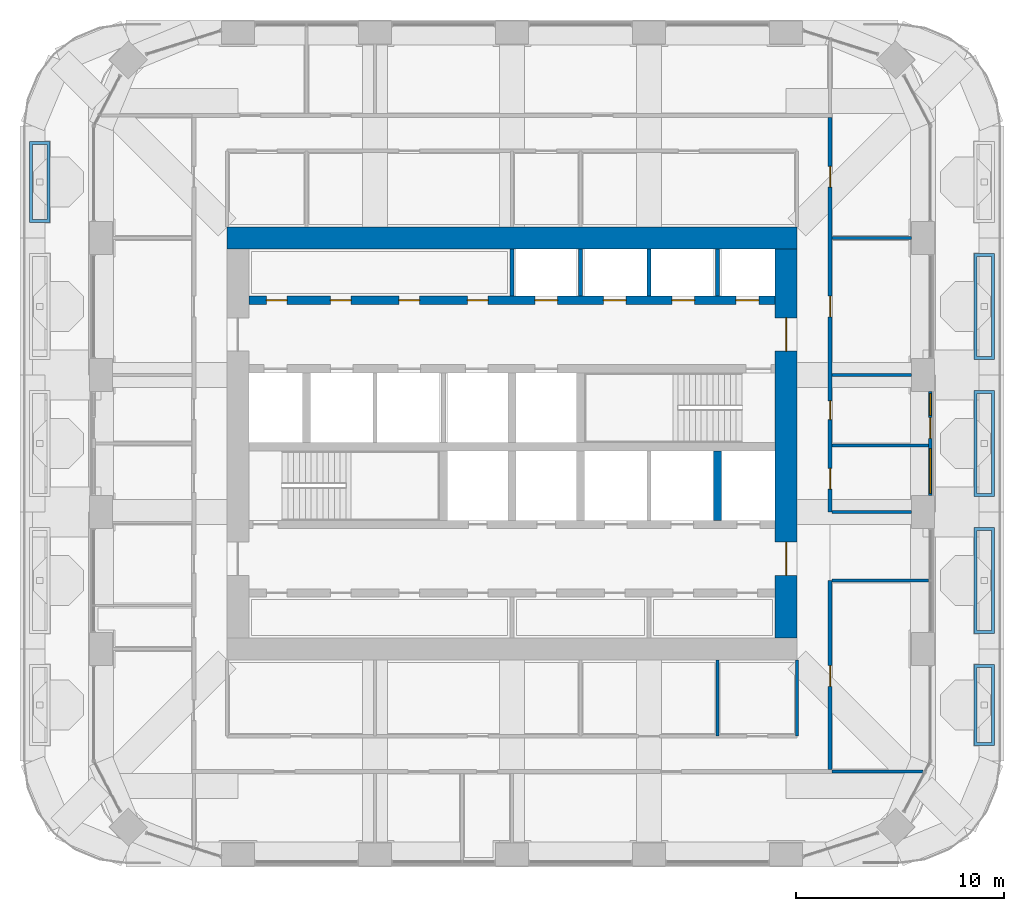
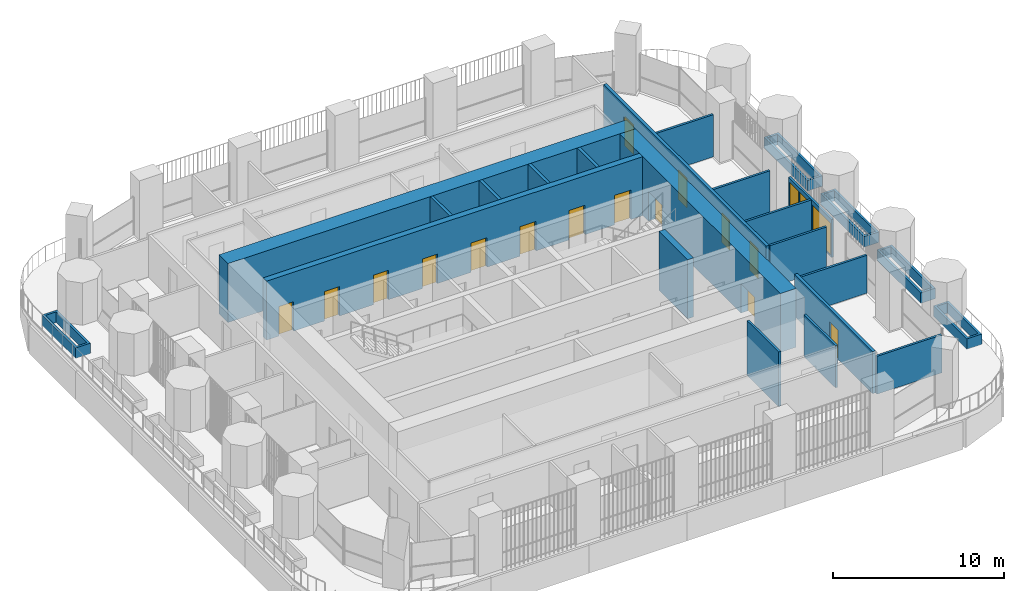
# One storey, part 16 of 24: 24 walls, 16 doors, 2 windows, 18 openings.
"""IFC4 building model written with IfcOpenShell, lengths in metres."""

from ifc_helpers import new_model, si_unit, direction, frame, frame_2d, origin, place, context, subcontext, project, spatial, polyline, rectangle, outline, extrude, material, layer, layer_set, type_object, element, fill, save


model = new_model("IFC4")

# Units and contexts
model_context = context("Model", 3, precision=1e-05, world=origin(), true_north=direction((0.0, 1.0)))
body_context = subcontext(model_context, "Body", "Model", "MODEL_VIEW")
ifc_project = project(units=[si_unit("LENGTHUNIT", "METRE"), si_unit("AREAUNIT", "SQUARE_METRE"), si_unit("VOLUMEUNIT", "CUBIC_METRE"), si_unit("PLANEANGLEUNIT", "RADIAN"), si_unit("MASSUNIT", "GRAM", prefix="KILO")], contexts=[model_context])

# Site, building, storey
site_placement = place(None, origin())
site = spatial("IfcSite", under=ifc_project, at=site_placement, CompositionType="ELEMENT")
building_placement = place(site_placement, origin())
building = spatial("IfcBuilding", under=site, at=building_placement, Name="Cobogo Forest Laboratory Tower", CompositionType="ELEMENT")
storey_placement = place(building_placement, frame((0.0, 0.0, 229.199951171875)))
storey = spatial("IfcBuildingStorey", under=building, at=storey_placement, Name="L52", CompositionType="ELEMENT", Elevation=229.199951171875)

# Wall, openings, doors
ifc_material_1 = material(Name="Concrete HA-50 (C50/60)", Category="concrete")
ifc_layer_1 = layer(ifc_material_1, 0.39990234375)
ifc_layer_set_1 = layer_set([ifc_layer_1], Name="CI400 core inner wall 400")
wall_type_1 = type_object("IfcWallType", Name="CI400 core inner wall 400", PredefinedType="SHEAR", material=ifc_layer_set_1)
wall_1_placement = place(storey_placement, frame((13.72509765625, 30.0, 0.0), z_axis=(0.0, 0.0, 1.0), x_axis=(1.0, 0.0, 0.0)))
wall_1 = element("IfcWall", 1, at=wall_1_placement, inside=storey, type_object=wall_type_1, Name="Core wall CI-30.0 L52", PredefinedType="SHEAR", context=body_context, shape_type="SweptSolid", body=[
    extrude(rectangle(XDim=25.349853515625, YDim=0.39990234375, at=frame_2d((12.6748046875, 0.0))), origin(), (0.0, 0.0, 1.0), 4.199951171875),
])
opening_1_placement = place(wall_1_placement, frame((0.83740234375, 0.0, 0.0)))
opening_1 = element("IfcOpeningElement", 2, at=opening_1_placement, cuts=wall_1, Name="Opening L52-D37", PredefinedType="OPENING", context=body_context, shape_type="SweptSolid", body=[
    extrude(rectangle(XDim=1.0, YDim=2.10009765625, at=frame_2d((0.5, 1.050048828125))), frame((0.0, 0.2099609375, 0.0), z_axis=(0.0, -1.0, 0.0), x_axis=(1.0, 0.0, 0.0)), (0.0, 0.0, 1.0), 0.419921875),
])
opening_2_placement = place(wall_1_placement, frame((3.925048828125, 0.0, 0.0)))
opening_2 = element("IfcOpeningElement", 3, at=opening_2_placement, cuts=wall_1, Name="Opening L52-D38", PredefinedType="OPENING", context=body_context, shape_type="SweptSolid", body=[
    extrude(rectangle(XDim=1.0, YDim=2.10009765625, at=frame_2d((0.5, 1.050048828125))), frame((0.0, 0.2099609375, 0.0), z_axis=(0.0, -1.0, 0.0), x_axis=(1.0, 0.0, 0.0)), (0.0, 0.0, 1.0), 0.419921875),
])
opening_3_placement = place(wall_1_placement, frame((7.22509765625, 0.0, 0.0)))
opening_3 = element("IfcOpeningElement", 4, at=opening_3_placement, cuts=wall_1, Name="Opening L52-D39", PredefinedType="OPENING", context=body_context, shape_type="SweptSolid", body=[
    extrude(rectangle(XDim=1.0, YDim=2.10009765625, at=frame_2d((0.5, 1.050048828125))), frame((0.0, 0.2099609375, 0.0), z_axis=(0.0, -1.0, 0.0), x_axis=(1.0, 0.0, 0.0)), (0.0, 0.0, 1.0), 0.419921875),
])
opening_4_placement = place(wall_1_placement, frame((10.52490234375, 0.0, 0.0)))
opening_4 = element("IfcOpeningElement", 5, at=opening_4_placement, cuts=wall_1, Name="Opening L52-D40", PredefinedType="OPENING", context=body_context, shape_type="SweptSolid", body=[
    extrude(rectangle(XDim=1.0, YDim=2.10009765625, at=frame_2d((0.5, 1.050048828125))), frame((0.0, 0.2099609375, 0.0), z_axis=(0.0, -1.0, 0.0), x_axis=(1.0, 0.0, 0.0)), (0.0, 0.0, 1.0), 0.419921875),
])
opening_5_placement = place(wall_1_placement, frame((13.77490234375, 0.0, 0.0)))
opening_5 = element("IfcOpeningElement", 6, at=opening_5_placement, cuts=wall_1, Name="Opening L52-LD-LD1", PredefinedType="OPENING", context=body_context, shape_type="SweptSolid", body=[
    extrude(rectangle(XDim=1.10009765625, YDim=2.10009765625, at=frame_2d((0.550048828125, 1.050048828125))), frame((0.0, 0.2099609375, 0.0), z_axis=(0.0, -1.0, 0.0), x_axis=(1.0, 0.0, 0.0)), (0.0, 0.0, 1.0), 0.419921875),
])
opening_6_placement = place(wall_1_placement, frame((17.074951171875, 0.0, 0.0)))
opening_6 = element("IfcOpeningElement", 7, at=opening_6_placement, cuts=wall_1, Name="Opening L52-LD-LD2", PredefinedType="OPENING", context=body_context, shape_type="SweptSolid", body=[
    extrude(rectangle(XDim=1.10009765625, YDim=2.10009765625, at=frame_2d((0.550048828125, 1.050048828125))), frame((0.0, 0.2099609375, 0.0), z_axis=(0.0, -1.0, 0.0), x_axis=(1.0, 0.0, 0.0)), (0.0, 0.0, 1.0), 0.419921875),
])
opening_7_placement = place(wall_1_placement, frame((20.375, 0.0, 0.0)))
opening_7 = element("IfcOpeningElement", 8, at=opening_7_placement, cuts=wall_1, Name="Opening L52-LD-LD3", PredefinedType="OPENING", context=body_context, shape_type="SweptSolid", body=[
    extrude(rectangle(XDim=1.10009765625, YDim=2.10009765625, at=frame_2d((0.550048828125, 1.050048828125))), frame((0.0, 0.2099609375, 0.0), z_axis=(0.0, -1.0, 0.0), x_axis=(1.0, 0.0, 0.0)), (0.0, 0.0, 1.0), 0.419921875),
])
opening_8_placement = place(wall_1_placement, frame((23.46240234375, 0.0, 0.0)))
opening_8 = element("IfcOpeningElement", 9, at=opening_8_placement, cuts=wall_1, Name="Opening L52-LD-LD4", PredefinedType="OPENING", context=body_context, shape_type="SweptSolid", body=[
    extrude(rectangle(XDim=1.10009765625, YDim=2.10009765625, at=frame_2d((0.550048828125, 1.050048828125))), frame((0.0, 0.2099609375, 0.0), z_axis=(0.0, -1.0, 0.0), x_axis=(1.0, 0.0, 0.0)), (0.0, 0.0, 1.0), 0.419921875),
])
ifc_material_2 = material(Name="Steel fire door", Category="steel")
door_type_1 = type_object("IfcDoorType", Name="FD1 fire door 1000 EI2 60", OperationType="SINGLE_SWING_LEFT", PredefinedType="DOOR", material=ifc_material_2)
door_1_placement = place(opening_1_placement, origin())
door_1 = element("IfcDoor", 10, at=door_1_placement, inside=storey, type_object=door_type_1, Name="Door L52-SH-LC1", OperationType="SINGLE_SWING_LEFT", OverallHeight=2.10009765625, OverallWidth=1.0, PredefinedType="DOOR", context=body_context, shape_type="SweptSolid", body=[
    extrude(rectangle(XDim=1.0, YDim=2.10009765625, at=frame_2d((0.5, 1.050048828125))), frame((0.0, 0.02490234375, 0.0), z_axis=(0.0, -1.0, 0.0), x_axis=(1.0, 0.0, 0.0)), (0.0, 0.0, 1.0), 0.050048828125),
])
fill(opening_1, door_1)
door_2_placement = place(opening_2_placement, origin())
door_2 = element("IfcDoor", 11, at=door_2_placement, inside=storey, type_object=door_type_1, Name="Door L52-SH-LC2", OperationType="SINGLE_SWING_LEFT", OverallHeight=2.10009765625, OverallWidth=1.0, PredefinedType="DOOR", context=body_context, shape_type="SweptSolid", body=[
    extrude(rectangle(XDim=1.0, YDim=2.10009765625, at=frame_2d((0.5, 1.050048828125))), frame((0.0, 0.02490234375, 0.0), z_axis=(0.0, -1.0, 0.0), x_axis=(1.0, 0.0, 0.0)), (0.0, 0.0, 1.0), 0.050048828125),
])
fill(opening_2, door_2)
door_3_placement = place(opening_3_placement, origin())
door_3 = element("IfcDoor", 12, at=door_3_placement, inside=storey, type_object=door_type_1, Name="Door L52-SH-LC3", OperationType="SINGLE_SWING_LEFT", OverallHeight=2.10009765625, OverallWidth=1.0, PredefinedType="DOOR", context=body_context, shape_type="SweptSolid", body=[
    extrude(rectangle(XDim=1.0, YDim=2.10009765625, at=frame_2d((0.5, 1.050048828125))), frame((0.0, 0.02490234375, 0.0), z_axis=(0.0, -1.0, 0.0), x_axis=(1.0, 0.0, 0.0)), (0.0, 0.0, 1.0), 0.050048828125),
])
fill(opening_3, door_3)
door_4_placement = place(opening_4_placement, origin())
door_4 = element("IfcDoor", 13, at=door_4_placement, inside=storey, type_object=door_type_1, Name="Door L52-SH-LC4", OperationType="SINGLE_SWING_LEFT", OverallHeight=2.10009765625, OverallWidth=1.0, PredefinedType="DOOR", context=body_context, shape_type="SweptSolid", body=[
    extrude(rectangle(XDim=1.0, YDim=2.10009765625, at=frame_2d((0.5, 1.050048828125))), frame((0.0, 0.02490234375, 0.0), z_axis=(0.0, -1.0, 0.0), x_axis=(1.0, 0.0, 0.0)), (0.0, 0.0, 1.0), 0.050048828125),
])
fill(opening_4, door_4)
ifc_material_3 = material(Name="Stainless steel lift door", Category="steel")
door_type_2 = type_object("IfcDoorType", Name="LD lift landing door 1100", OperationType="DOUBLE_DOOR_SLIDING", PredefinedType="DOOR", material=ifc_material_3)
door_5_placement = place(opening_5_placement, origin())
door_5 = element("IfcDoor", 14, at=door_5_placement, inside=storey, type_object=door_type_2, Name="Lift landing door LD1 L52", OperationType="DOUBLE_DOOR_SLIDING", OverallHeight=2.10009765625, OverallWidth=1.10009765625, PredefinedType="DOOR", context=body_context, shape_type="SweptSolid", body=[
    extrude(rectangle(XDim=1.10009765625, YDim=2.10009765625, at=frame_2d((0.550048828125, 1.050048828125))), frame((0.0, 0.02490234375, 0.0), z_axis=(0.0, -1.0, 0.0), x_axis=(1.0, 0.0, 0.0)), (0.0, 0.0, 1.0), 0.050048828125),
])
fill(opening_5, door_5)
door_6_placement = place(opening_6_placement, origin())
door_6 = element("IfcDoor", 15, at=door_6_placement, inside=storey, type_object=door_type_2, Name="Lift landing door LD2 L52", OperationType="DOUBLE_DOOR_SLIDING", OverallHeight=2.10009765625, OverallWidth=1.10009765625, PredefinedType="DOOR", context=body_context, shape_type="SweptSolid", body=[
    extrude(rectangle(XDim=1.10009765625, YDim=2.10009765625, at=frame_2d((0.550048828125, 1.050048828125))), frame((0.0, 0.02490234375, 0.0), z_axis=(0.0, -1.0, 0.0), x_axis=(1.0, 0.0, 0.0)), (0.0, 0.0, 1.0), 0.050048828125),
])
fill(opening_6, door_6)
door_7_placement = place(opening_7_placement, origin())
door_7 = element("IfcDoor", 16, at=door_7_placement, inside=storey, type_object=door_type_2, Name="Lift landing door LD3 L52", OperationType="DOUBLE_DOOR_SLIDING", OverallHeight=2.10009765625, OverallWidth=1.10009765625, PredefinedType="DOOR", context=body_context, shape_type="SweptSolid", body=[
    extrude(rectangle(XDim=1.10009765625, YDim=2.10009765625, at=frame_2d((0.550048828125, 1.050048828125))), frame((0.0, 0.02490234375, 0.0), z_axis=(0.0, -1.0, 0.0), x_axis=(1.0, 0.0, 0.0)), (0.0, 0.0, 1.0), 0.050048828125),
])
fill(opening_7, door_7)
door_8_placement = place(opening_8_placement, origin())
door_8 = element("IfcDoor", 17, at=door_8_placement, inside=storey, type_object=door_type_2, Name="Lift landing door LD4 L52", OperationType="DOUBLE_DOOR_SLIDING", OverallHeight=2.10009765625, OverallWidth=1.10009765625, PredefinedType="DOOR", context=body_context, shape_type="SweptSolid", body=[
    extrude(rectangle(XDim=1.10009765625, YDim=2.10009765625, at=frame_2d((0.550048828125, 1.050048828125))), frame((0.0, 0.02490234375, 0.0), z_axis=(0.0, -1.0, 0.0), x_axis=(1.0, 0.0, 0.0)), (0.0, 0.0, 1.0), 0.050048828125),
])
fill(opening_8, door_8)

# Wall
wall_2_placement = place(storey_placement, frame((36.300048828125, 19.39990234375, 0.0), z_axis=(0.0, 0.0, 1.0), x_axis=(0.0, 1.0, 0.0)))
element("IfcWall", 18, at=wall_2_placement, inside=storey, type_object=wall_type_1, Name="Core wall CX-36.3 L52", PredefinedType="SHEAR", context=body_context, shape_type="SweptSolid", body=[
    extrude(rectangle(XDim=3.35009765625, YDim=0.39990234375, at=frame_2d((1.675048828125, 0.0))), origin(), (0.0, 0.0, 1.0), 4.199951171875),
])

# Wall, openings, doors
ifc_layer_2 = layer(ifc_material_1, 1.050048828125)
ifc_layer_set_2 = layer_set([ifc_layer_2], Name="CW1050 core outer wall 1050")
wall_type_2 = type_object("IfcWallType", Name="CW1050 core outer wall 1050", PredefinedType="SHEAR", material=ifc_layer_set_2)
wall_3_placement = place(storey_placement, frame((39.60009765625, 13.72509765625, 0.0), z_axis=(0.0, 0.0, 1.0), x_axis=(0.0, 1.0, 0.0)))
wall_3 = element("IfcWall", 19, at=wall_3_placement, inside=storey, type_object=wall_type_2, Name="Core wall CO-E L52", PredefinedType="SHEAR", context=body_context, shape_type="SweptSolid", body=[
    extrude(rectangle(XDim=18.75, YDim=1.050048828125, at=frame_2d((9.375, 0.0))), origin(), (0.0, 0.0, 1.0), 4.199951171875),
])
opening_9_placement = place(wall_3_placement, frame((3.02490234375, 0.0, 0.0)))
opening_9 = element("IfcOpeningElement", 20, at=opening_9_placement, cuts=wall_3, Name="Opening L52-D22", PredefinedType="OPENING", context=body_context, shape_type="SweptSolid", body=[
    extrude(rectangle(XDim=1.60009765625, YDim=2.10009765625, at=frame_2d((0.800048828125, 1.050048828125))), frame((0.0, 0.534912109375, 0.0), z_axis=(0.0, -1.0, 0.0), x_axis=(1.0, 0.0, 0.0)), (0.0, 0.0, 1.0), 1.070068359375),
])
opening_10_placement = place(wall_3_placement, frame((13.824951171875, 0.0, 0.0)))
opening_10 = element("IfcOpeningElement", 21, at=opening_10_placement, cuts=wall_3, Name="Opening L52-D34", PredefinedType="OPENING", context=body_context, shape_type="SweptSolid", body=[
    extrude(rectangle(XDim=1.60009765625, YDim=2.10009765625, at=frame_2d((0.800048828125, 1.050048828125))), frame((0.0, 0.534912109375, 0.0), z_axis=(0.0, -1.0, 0.0), x_axis=(1.0, 0.0, 0.0)), (0.0, 0.0, 1.0), 1.070068359375),
])
door_type_3 = type_object("IfcDoorType", Name="DS2 protected lobby door pair 1600 EI2 60", OperationType="DOUBLE_DOOR_DOUBLE_SWING", PredefinedType="DOOR", material=ifc_material_2)
door_9_placement = place(opening_9_placement, origin())
door_9 = element("IfcDoor", 22, at=door_9_placement, inside=storey, type_object=door_type_3, Name="Door L52-CO-E-S", OperationType="DOUBLE_DOOR_DOUBLE_SWING", OverallHeight=2.10009765625, OverallWidth=1.60009765625, PredefinedType="DOOR", context=body_context, shape_type="SweptSolid", body=[
    extrude(rectangle(XDim=1.60009765625, YDim=2.10009765625, at=frame_2d((0.800048828125, 1.050048828125))), frame((0.0, 0.02490234375, 0.0), z_axis=(0.0, -1.0, 0.0), x_axis=(1.0, 0.0, 0.0)), (0.0, 0.0, 1.0), 0.050048828125),
])
fill(opening_9, door_9)
door_10_placement = place(opening_10_placement, origin())
door_10 = element("IfcDoor", 23, at=door_10_placement, inside=storey, type_object=door_type_3, Name="Door L52-CO-E-N", OperationType="DOUBLE_DOOR_DOUBLE_SWING", OverallHeight=2.10009765625, OverallWidth=1.60009765625, PredefinedType="DOOR", context=body_context, shape_type="SweptSolid", body=[
    extrude(rectangle(XDim=1.60009765625, YDim=2.10009765625, at=frame_2d((0.800048828125, 1.050048828125))), frame((0.0, 0.02490234375, 0.0), z_axis=(0.0, -1.0, 0.0), x_axis=(1.0, 0.0, 0.0)), (0.0, 0.0, 1.0), 0.050048828125),
])
fill(opening_10, door_10)

# Wall
wall_4_placement = place(storey_placement, frame((40.125, 33.0, 0.0), z_axis=(0.0, 0.0, 1.0), x_axis=(-1.0, 0.0, 0.0)))
element("IfcWall", 24, at=wall_4_placement, inside=storey, type_object=wall_type_2, Name="Core wall CO-N L52", PredefinedType="SHEAR", context=body_context, shape_type="SweptSolid", body=[
    extrude(rectangle(XDim=27.449951171875, YDim=1.050048828125, at=frame_2d((13.72509765625, 0.0))), origin(), (0.0, 0.0, 1.0), 4.199951171875),
])

# Wall, openings, door, windows
ifc_material_4 = material(Name="Aluminium framed glazed screen", Category="aluminium")
ifc_layer_3 = layer(ifc_material_4, 0.14990234375)
ifc_layer_set_3 = layer_set([ifc_layer_3], Name="GS1 glazed door screen 150")
wall_type_3 = type_object("IfcWallType", Name="GS1 glazed door screen 150", PredefinedType="SOLIDWALL", material=ifc_layer_set_3)
wall_5_placement = place(storey_placement, frame((46.550048828125, 20.60009765625, 0.0), z_axis=(0.0, 0.0, 1.0), x_axis=(0.0, 1.0, 0.0)))
wall_5 = element("IfcWall", 25, at=wall_5_placement, inside=storey, type_object=wall_type_3, Name="Door screen TER-E L52", PredefinedType="SOLIDWALL", context=body_context, shape_type="SweptSolid", body=[
    extrude(rectangle(XDim=5.0, YDim=0.14990234375, at=frame_2d((2.5, 0.0))), origin(), (0.0, 0.0, 1.0), 2.699951171875),
])
opening_11_placement = place(wall_5_placement, frame((2.75, 0.0, 0.0)))
opening_11 = element("IfcOpeningElement", 26, at=opening_11_placement, cuts=wall_5, Name="Opening L52-D29", PredefinedType="OPENING", context=body_context, shape_type="SweptSolid", body=[
    extrude(rectangle(XDim=1.0, YDim=2.39990234375, at=frame_2d((0.5, 1.199951171875))), frame((0.0, 0.0849609375, 0.0), z_axis=(0.0, -1.0, 0.0), x_axis=(1.0, 0.0, 0.0)), (0.0, 0.0, 1.0), 0.169921875),
])
opening_12_placement = place(wall_5_placement, frame((0.10009765625, 0.0, 0.10009765625)))
opening_12 = element("IfcOpeningElement", 27, at=opening_12_placement, cuts=wall_5, Name="Opening L52-W02", PredefinedType="OPENING", context=body_context, shape_type="SweptSolid", body=[
    extrude(rectangle(XDim=2.14990234375, YDim=2.300048828125, at=frame_2d((1.074951171875, 1.14990234375))), frame((0.0, 0.0849609375, 0.0), z_axis=(0.0, -1.0, 0.0), x_axis=(1.0, 0.0, 0.0)), (0.0, 0.0, 1.0), 0.169921875),
])
opening_13_placement = place(wall_5_placement, frame((3.85009765625, 0.0, 0.10009765625)))
opening_13 = element("IfcOpeningElement", 28, at=opening_13_placement, cuts=wall_5, Name="Opening L52-W04", PredefinedType="OPENING", context=body_context, shape_type="SweptSolid", body=[
    extrude(rectangle(XDim=1.050048828125, YDim=2.300048828125, at=frame_2d((0.52490234375, 1.14990234375))), frame((0.0, 0.0849609375, 0.0), z_axis=(0.0, -1.0, 0.0), x_axis=(1.0, 0.0, 0.0)), (0.0, 0.0, 1.0), 0.169921875),
])
ifc_material_5 = material(Name="Aluminium glazed door", Category="aluminium")
door_type_4 = type_object("IfcDoorType", Name="DT1 terrace door 1000 glazed", OperationType="SINGLE_SWING_RIGHT", PredefinedType="DOOR", material=ifc_material_5)
door_11_placement = place(opening_11_placement, origin())
door_11 = element("IfcDoor", 29, at=door_11_placement, inside=storey, type_object=door_type_4, Name="Door L52-TER-E", OperationType="SINGLE_SWING_RIGHT", OverallHeight=2.39990234375, OverallWidth=1.0, PredefinedType="DOOR", context=body_context, shape_type="SweptSolid", body=[
    extrude(rectangle(XDim=1.0, YDim=2.39990234375, at=frame_2d((0.5, 1.199951171875))), frame((0.0, 0.02490234375, 0.0), z_axis=(0.0, -1.0, 0.0), x_axis=(1.0, 0.0, 0.0)), (0.0, 0.0, 1.0), 0.050048828125),
])
fill(opening_11, door_11)
ifc_material_6 = material(Name="Aluminium framed glazing", Category="aluminium")
window_type_1 = type_object("IfcWindowType", Name="WG13 fixed glazed light 2150x2300", PartitioningType="SINGLE_PANEL", PredefinedType="WINDOW", material=ifc_material_6)
window_1_placement = place(opening_12_placement, origin())
window_1 = element("IfcWindow", 30, at=window_1_placement, inside=storey, type_object=window_type_1, Name="Window L52-TER-E-1", OverallHeight=2.300048828125, OverallWidth=2.14990234375, PartitioningType="SINGLE_PANEL", PredefinedType="WINDOW", context=body_context, shape_type="SweptSolid", body=[
    extrude(rectangle(XDim=2.14990234375, YDim=2.300048828125, at=frame_2d((1.074951171875, 1.14990234375))), frame((0.0, 0.030029296875, 0.0), z_axis=(0.0, -1.0, 0.0), x_axis=(1.0, 0.0, 0.0)), (0.0, 0.0, 1.0), 0.06005859375),
])
fill(opening_12, window_1)
window_type_2 = type_object("IfcWindowType", Name="WG14 fixed glazed light 1050x2300", PartitioningType="SINGLE_PANEL", PredefinedType="WINDOW", material=ifc_material_6)
window_2_placement = place(opening_13_placement, origin())
window_2 = element("IfcWindow", 31, at=window_2_placement, inside=storey, type_object=window_type_2, Name="Window L52-TER-E-2", OverallHeight=2.300048828125, OverallWidth=1.050048828125, PartitioningType="SINGLE_PANEL", PredefinedType="WINDOW", context=body_context, shape_type="SweptSolid", body=[
    extrude(rectangle(XDim=1.050048828125, YDim=2.300048828125, at=frame_2d((0.52490234375, 1.14990234375))), frame((0.0, 0.030029296875, 0.0), z_axis=(0.0, -1.0, 0.0), x_axis=(1.0, 0.0, 0.0)), (0.0, 0.0, 1.0), 0.06005859375),
])
fill(opening_13, window_2)

# Walls
ifc_material_7 = material(Name="Gypsum board on steel studs", Category="steel")
ifc_layer_4 = layer(ifc_material_7, 0.14990234375)
ifc_layer_set_4 = layer_set([ifc_layer_4], Name="PT1 laboratory partition 150")
wall_type_4 = type_object("IfcWallType", Name="PT1 laboratory partition 150", PredefinedType="PARTITIONING", material=ifc_layer_set_4)
wall_6_placement = place(storey_placement, frame((40.125, 12.675048828125, 0.0), z_axis=(0.0, 0.0, 1.0), x_axis=(0.0, -1.0, 0.0)))
element("IfcWall", 32, at=wall_6_placement, inside=storey, type_object=wall_type_4, Name="Partition CSTRIP-SE L52", PredefinedType="PARTITIONING", context=body_context, shape_type="SweptSolid", body=[
    extrude(rectangle(XDim=3.675048828125, YDim=0.14990234375, at=frame_2d((1.83740234375, 0.0))), origin(), (0.0, 0.0, 1.0), 3.0),
])
wall_7_placement = place(storey_placement, frame((36.300048828125, 12.675048828125, 0.0), z_axis=(0.0, 0.0, 1.0), x_axis=(0.0, -1.0, 0.0)))
element("IfcWall", 33, at=wall_7_placement, inside=storey, type_object=wall_type_4, Name="Partition CSTRIP-S36.3 L52", PredefinedType="PARTITIONING", context=body_context, shape_type="SweptSolid", body=[
    extrude(rectangle(XDim=3.675048828125, YDim=0.14990234375, at=frame_2d((1.83740234375, 0.0))), origin(), (0.0, 0.0, 1.0), 3.900146484375),
])
wall_8_placement = place(storey_placement, frame((46.197509765625, 7.300048828125, 0.0), z_axis=(0.0, 0.0, 1.0), x_axis=(-1.0, 0.0, 0.0)))
element("IfcWall", 34, at=wall_8_placement, inside=storey, type_object=wall_type_4, Name="Partition PW-SE L52", PredefinedType="PARTITIONING", context=body_context, shape_type="SweptSolid", body=[
    extrude(rectangle(XDim=4.37255859375, YDim=0.14990234375, at=frame_2d((2.186279296875, 0.0))), origin(), (0.0, 0.0, 1.0), 2.699951171875),
])
wall_9_placement = place(storey_placement, frame((46.469970703125, 23.0, 0.0), z_axis=(0.0, 0.0, 1.0), x_axis=(-1.0, 0.0, 0.0)))
element("IfcWall", 35, at=wall_9_placement, inside=storey, type_object=wall_type_4, Name="Partition SVC-E1-1 L52", PredefinedType="PARTITIONING", context=body_context, shape_type="SweptSolid", body=[
    extrude(rectangle(XDim=4.64501953125, YDim=0.14990234375, at=frame_2d((2.322509765625, 0.0))), origin(), (0.0, 0.0, 1.0), 2.699951171875),
])
wall_10_placement = place(storey_placement, frame((45.64990234375, 26.39990234375, 0.0), z_axis=(0.0, 0.0, 1.0), x_axis=(-1.0, 0.0, 0.0)))
element("IfcWall", 36, at=wall_10_placement, inside=storey, type_object=wall_type_4, Name="Partition SVC-E2-1 L52", PredefinedType="PARTITIONING", context=body_context, shape_type="SweptSolid", body=[
    extrude(rectangle(XDim=3.824951171875, YDim=0.14990234375, at=frame_2d((1.91259765625, 0.0))), origin(), (0.0, 0.0, 1.0), 3.0),
])
wall_11_placement = place(storey_placement, frame((46.469970703125, 16.5, 0.0), z_axis=(0.0, 0.0, 1.0), x_axis=(-1.0, 0.0, 0.0)))
element("IfcWall", 37, at=wall_11_placement, inside=storey, type_object=wall_type_4, Name="Partition CUT-E16.5-1 L52", PredefinedType="PARTITIONING", context=body_context, shape_type="SweptSolid", body=[
    extrude(rectangle(XDim=4.64501953125, YDim=0.14990234375, at=frame_2d((2.322509765625, 0.0))), origin(), (0.0, 0.0, 1.0), 2.699951171875),
])
for number, where, z_axis, x_axis, name in (
    (38, (45.64990234375, 19.800048828125, 0.0), (0.0, 0.0, 1.0), (-1.0, 0.0, 0.0), "Partition CUT-E19.8-1 L52"),
    (39, (45.64990234375, 33.0, 0.0), (0.0, 0.0, 1.0), (-1.0, 0.0, 0.0), "Partition CUT-E33-1 L52"),
):
    element("IfcWall", number, at=place(storey_placement, frame(where, z_axis=z_axis, x_axis=x_axis)), inside=storey, type_object=wall_type_4, Name=name, PredefinedType="PARTITIONING", context=body_context, shape_type="SweptSolid", body=[
        extrude(rectangle(XDim=3.824951171875, YDim=0.14990234375, at=frame_2d((1.91259765625, 0.0))), origin(), (0.0, 0.0, 1.0), 3.0),
    ])

# Wall, opening, door
ifc_layer_5 = layer(ifc_material_7, 0.199951171875)
ifc_layer_set_5 = layer_set([ifc_layer_5], Name="PT2 fire-rated corridor partition 200")
wall_type_5 = type_object("IfcWallType", Name="PT2 fire-rated corridor partition 200", PredefinedType="PARTITIONING", material=ifc_layer_set_5)
wall_12_placement = place(storey_placement, frame((41.72509765625, 7.39990234375, 0.0), z_axis=(0.0, 0.0, 1.0), x_axis=(0.0, 1.0, 0.0)))
wall_12 = element("IfcWall", 40, at=wall_12_placement, inside=storey, type_object=wall_type_5, Name="Partition CORR-E-1 L52", PredefinedType="PARTITIONING", context=body_context, shape_type="SweptSolid", body=[
    extrude(rectangle(XDim=9.10009765625, YDim=0.199951171875, at=frame_2d((4.550048828125, 0.0))), origin(), (0.0, 0.0, 1.0), 3.0),
])
opening_14_placement = place(wall_12_placement, frame((4.0, 0.0, 0.0)))
opening_14 = element("IfcOpeningElement", 41, at=opening_14_placement, cuts=wall_12, Name="Opening L52-D10", PredefinedType="OPENING", context=body_context, shape_type="SweptSolid", body=[
    extrude(rectangle(XDim=1.0, YDim=2.10009765625, at=frame_2d((0.5, 1.050048828125))), frame((0.0, 0.10986328125, 0.0), z_axis=(0.0, -1.0, 0.0), x_axis=(1.0, 0.0, 0.0)), (0.0, 0.0, 1.0), 0.219970703125),
])
ifc_material_8 = material(Name="Timber fire door", Category="wood")
door_type_5 = type_object("IfcDoorType", Name="FD2 fire door 1000 EI2 30", OperationType="SINGLE_SWING_LEFT", PredefinedType="DOOR", material=ifc_material_8)
door_12_placement = place(opening_14_placement, origin())
door_12 = element("IfcDoor", 42, at=door_12_placement, inside=storey, type_object=door_type_5, Name="Door L52-E1", OperationType="SINGLE_SWING_LEFT", OverallHeight=2.10009765625, OverallWidth=1.0, PredefinedType="DOOR", context=body_context, shape_type="SweptSolid", body=[
    extrude(rectangle(XDim=1.0, YDim=2.10009765625, at=frame_2d((0.5, 1.050048828125))), frame((0.0, 0.02490234375, 0.0), z_axis=(0.0, -1.0, 0.0), x_axis=(1.0, 0.0, 0.0)), (0.0, 0.0, 1.0), 0.050048828125),
])
fill(opening_14, door_12)

# Wall, openings, doors
wall_13_placement = place(storey_placement, frame((41.72509765625, 19.800048828125, 0.0), z_axis=(0.0, 0.0, 1.0), x_axis=(0.0, 1.0, 0.0)))
wall_13 = element("IfcWall", 43, at=wall_13_placement, inside=storey, type_object=wall_type_5, Name="Partition CORR-E-2 L52", PredefinedType="PARTITIONING", context=body_context, shape_type="SweptSolid", body=[
    extrude(rectangle(XDim=19.0, YDim=0.199951171875, at=frame_2d((9.5, 0.0))), origin(), (0.0, 0.0, 1.0), 3.0),
])
opening_15_placement = place(wall_13_placement, frame((1.10009765625, 0.0, 0.0)))
opening_15 = element("IfcOpeningElement", 44, at=opening_15_placement, cuts=wall_13, Name="Opening L52-D27", PredefinedType="OPENING", context=body_context, shape_type="SweptSolid", body=[
    extrude(rectangle(XDim=1.0, YDim=2.10009765625, at=frame_2d((0.5, 1.050048828125))), frame((0.0, 0.10986328125, 0.0), z_axis=(0.0, -1.0, 0.0), x_axis=(1.0, 0.0, 0.0)), (0.0, 0.0, 1.0), 0.219970703125),
])
opening_16_placement = place(wall_13_placement, frame((4.449951171875, 0.0, 0.0)))
opening_16 = element("IfcOpeningElement", 45, at=opening_16_placement, cuts=wall_13, Name="Opening L52-D30", PredefinedType="OPENING", context=body_context, shape_type="SweptSolid", body=[
    extrude(rectangle(XDim=0.89990234375, YDim=2.10009765625, at=frame_2d((0.449951171875, 1.050048828125))), frame((0.0, 0.10986328125, 0.0), z_axis=(0.0, -1.0, 0.0), x_axis=(1.0, 0.0, 0.0)), (0.0, 0.0, 1.0), 0.219970703125),
])
opening_17_placement = place(wall_13_placement, frame((9.39990234375, 0.0, 0.0)))
opening_17 = element("IfcOpeningElement", 46, at=opening_17_placement, cuts=wall_13, Name="Opening L52-D36", PredefinedType="OPENING", context=body_context, shape_type="SweptSolid", body=[
    extrude(rectangle(XDim=1.0, YDim=2.10009765625, at=frame_2d((0.5, 1.050048828125))), frame((0.0, 0.10986328125, 0.0), z_axis=(0.0, -1.0, 0.0), x_axis=(1.0, 0.0, 0.0)), (0.0, 0.0, 1.0), 0.219970703125),
])
opening_18_placement = place(wall_13_placement, frame((15.64990234375, 0.0, 0.0)))
opening_18 = element("IfcOpeningElement", 47, at=opening_18_placement, cuts=wall_13, Name="Opening L52-D42", PredefinedType="OPENING", context=body_context, shape_type="SweptSolid", body=[
    extrude(rectangle(XDim=1.0, YDim=2.10009765625, at=frame_2d((0.5, 1.050048828125))), frame((0.0, 0.10986328125, 0.0), z_axis=(0.0, -1.0, 0.0), x_axis=(1.0, 0.0, 0.0)), (0.0, 0.0, 1.0), 0.219970703125),
])
door_13_placement = place(opening_15_placement, origin())
door_13 = element("IfcDoor", 48, at=door_13_placement, inside=storey, type_object=door_type_1, Name="Door L52-ELEC", OperationType="SINGLE_SWING_LEFT", OverallHeight=2.10009765625, OverallWidth=1.0, PredefinedType="DOOR", context=body_context, shape_type="SweptSolid", body=[
    extrude(rectangle(XDim=1.0, YDim=2.10009765625, at=frame_2d((0.5, 1.050048828125))), frame((0.0, 0.02490234375, 0.0), z_axis=(0.0, -1.0, 0.0), x_axis=(1.0, 0.0, 0.0)), (0.0, 0.0, 1.0), 0.050048828125),
])
fill(opening_15, door_13)
door_14_placement = place(opening_17_placement, origin())
door_14 = element("IfcDoor", 49, at=door_14_placement, inside=storey, type_object=door_type_5, Name="Door L52-E3", OperationType="SINGLE_SWING_RIGHT", OverallHeight=2.10009765625, OverallWidth=1.0, PredefinedType="DOOR", context=body_context, shape_type="SweptSolid", body=[
    extrude(rectangle(XDim=1.0, YDim=2.10009765625, at=frame_2d((0.5, 1.050048828125))), frame((0.0, 0.02490234375, 0.0), z_axis=(0.0, -1.0, 0.0), x_axis=(1.0, 0.0, 0.0)), (0.0, 0.0, 1.0), 0.050048828125),
])
fill(opening_17, door_14)
door_15_placement = place(opening_18_placement, origin())
door_15 = element("IfcDoor", 50, at=door_15_placement, inside=storey, type_object=door_type_5, Name="Door L52-E4", OperationType="SINGLE_SWING_RIGHT", OverallHeight=2.10009765625, OverallWidth=1.0, PredefinedType="DOOR", context=body_context, shape_type="SweptSolid", body=[
    extrude(rectangle(XDim=1.0, YDim=2.10009765625, at=frame_2d((0.5, 1.050048828125))), frame((0.0, 0.02490234375, 0.0), z_axis=(0.0, -1.0, 0.0), x_axis=(1.0, 0.0, 0.0)), (0.0, 0.0, 1.0), 0.050048828125),
])
fill(opening_18, door_15)
door_type_6 = type_object("IfcDoorType", Name="FD4 riser access door 900 EI2 60", OperationType="SINGLE_SWING_LEFT", PredefinedType="DOOR", material=ifc_material_2)
door_16_placement = place(opening_16_placement, origin())
door_16 = element("IfcDoor", 51, at=door_16_placement, inside=storey, type_object=door_type_6, Name="Door L52-COMMS", OperationType="SINGLE_SWING_LEFT", OverallHeight=2.10009765625, OverallWidth=0.89990234375, PredefinedType="DOOR", context=body_context, shape_type="SweptSolid", body=[
    extrude(rectangle(XDim=0.89990234375, YDim=2.10009765625, at=frame_2d((0.449951171875, 1.050048828125))), frame((0.0, 0.02490234375, 0.0), z_axis=(0.0, -1.0, 0.0), x_axis=(1.0, 0.0, 0.0)), (0.0, 0.0, 1.0), 0.050048828125),
])
fill(opening_16, door_16)

# Walls
ifc_material_9 = material(Name="Concrete HA-40 (C40/50)", Category="concrete")
ifc_layer_6 = layer(ifc_material_9, 0.14990234375)
ifc_layer_set_6 = layer_set([ifc_layer_6], Name="Planter box 1000x750")
wall_type_6 = type_object("IfcWallType", Name="Planter box 1000x750", PredefinedType="USERDEFINED", material=ifc_layer_set_6)
wall_14_placement = place(storey_placement, origin())
element("IfcWall", 52, at=wall_14_placement, inside=storey, type_object=wall_type_6, Name="Terrace planter TER-W-5 L52", ObjectType="PLANTER", PredefinedType="USERDEFINED", context=body_context, shape_type="SweptSolid", body=[
    extrude(outline(polyline([(3.14990234375, 33.75), (4.14990234375, 33.75), (4.14990234375, 37.64990234375), (3.14990234375, 37.64990234375), (3.14990234375, 33.75)]), holes=[polyline([(3.300048828125, 33.89990234375), (4.0, 33.89990234375), (4.0, 37.5), (3.300048828125, 37.5), (3.300048828125, 33.89990234375)])]), origin(), (0.0, 0.0, 1.0), 0.75),
])
wall_15_placement = place(storey_placement, origin())
element("IfcWall", 53, at=wall_15_placement, inside=storey, type_object=wall_type_6, Name="Terrace planter TER-E-1 L52", ObjectType="PLANTER", PredefinedType="USERDEFINED", context=body_context, shape_type="SweptSolid", body=[
    extrude(outline(polyline([(48.64990234375, 8.550048828125), (49.64990234375, 8.550048828125), (49.64990234375, 12.449951171875), (48.64990234375, 12.449951171875), (48.64990234375, 8.550048828125)]), holes=[polyline([(48.800048828125, 8.699951171875), (49.5, 8.699951171875), (49.5, 12.300048828125), (48.800048828125, 12.300048828125), (48.800048828125, 8.699951171875)])]), origin(), (0.0, 0.0, 1.0), 0.75),
])
wall_16_placement = place(storey_placement, origin())
element("IfcWall", 54, at=wall_16_placement, inside=storey, type_object=wall_type_6, Name="Terrace planter TER-E-2 L52", ObjectType="PLANTER", PredefinedType="USERDEFINED", context=body_context, shape_type="SweptSolid", body=[
    extrude(outline(polyline([(48.64990234375, 13.949951171875), (49.64990234375, 13.949951171875), (49.64990234375, 19.050048828125), (48.64990234375, 19.050048828125), (48.64990234375, 13.949951171875)]), holes=[polyline([(48.800048828125, 14.10009765625), (49.5, 14.10009765625), (49.5, 18.89990234375), (48.800048828125, 18.89990234375), (48.800048828125, 14.10009765625)])]), origin(), (0.0, 0.0, 1.0), 0.75),
])
wall_17_placement = place(storey_placement, origin())
element("IfcWall", 55, at=wall_17_placement, inside=storey, type_object=wall_type_6, Name="Terrace planter TER-E-3 L52", ObjectType="PLANTER", PredefinedType="USERDEFINED", context=body_context, shape_type="SweptSolid", body=[
    extrude(outline(polyline([(48.64990234375, 20.550048828125), (49.64990234375, 20.550048828125), (49.64990234375, 25.64990234375), (48.64990234375, 25.64990234375), (48.64990234375, 20.550048828125)]), holes=[polyline([(48.800048828125, 20.699951171875), (49.5, 20.699951171875), (49.5, 25.5), (48.800048828125, 25.5), (48.800048828125, 20.699951171875)])]), origin(), (0.0, 0.0, 1.0), 0.75),
])
wall_18_placement = place(storey_placement, origin())
element("IfcWall", 56, at=wall_18_placement, inside=storey, type_object=wall_type_6, Name="Terrace planter TER-E-4 L52", ObjectType="PLANTER", PredefinedType="USERDEFINED", context=body_context, shape_type="SweptSolid", body=[
    extrude(outline(polyline([(48.64990234375, 27.14990234375), (49.64990234375, 27.14990234375), (49.64990234375, 32.25), (48.64990234375, 32.25), (48.64990234375, 27.14990234375)]), holes=[polyline([(48.800048828125, 27.300048828125), (49.5, 27.300048828125), (49.5, 32.10009765625), (48.800048828125, 32.10009765625), (48.800048828125, 27.300048828125)])]), origin(), (0.0, 0.0, 1.0), 0.75),
])
ifc_material_10 = material(Name="Concrete block", Category="concrete")
ifc_layer_7 = layer(ifc_material_10, 0.199951171875)
ifc_layer_set_7 = layer_set([ifc_layer_7], Name="SW200 lift shaft separator 200")
wall_type_7 = type_object("IfcWallType", Name="SW200 lift shaft separator 200", PredefinedType="PARTITIONING", material=ifc_layer_set_7)
for number, where, z_axis, x_axis, name in (
    (57, (26.39990234375, 30.199951171875, 0.0), (0.0, 0.0, 1.0), (0.0, 1.0, 0.0), "Core wall SEP-N4 L52"),
    (58, (29.699951171875, 30.199951171875, 0.0), (0.0, 0.0, 1.0), (0.0, 1.0, 0.0), "Core wall SEP-N5 L52"),
    (59, (33.0, 30.199951171875, 0.0), (0.0, 0.0, 1.0), (0.0, 1.0, 0.0), "Core wall SEP-N6 L52"),
    (60, (36.300048828125, 30.199951171875, 0.0), (0.0, 0.0, 1.0), (0.0, 1.0, 0.0), "Core wall SEP-N7 L52"),
):
    element("IfcWall", number, at=place(storey_placement, frame(where, z_axis=z_axis, x_axis=x_axis)), inside=storey, type_object=wall_type_7, Name=name, PredefinedType="PARTITIONING", context=body_context, shape_type="SweptSolid", body=[
        extrude(rectangle(XDim=2.275146484375, YDim=0.199951171875, at=frame_2d((1.1376953125, 0.0))), origin(), (0.0, 0.0, 1.0), 4.199951171875),
    ])

save(model, "model.ifc")
